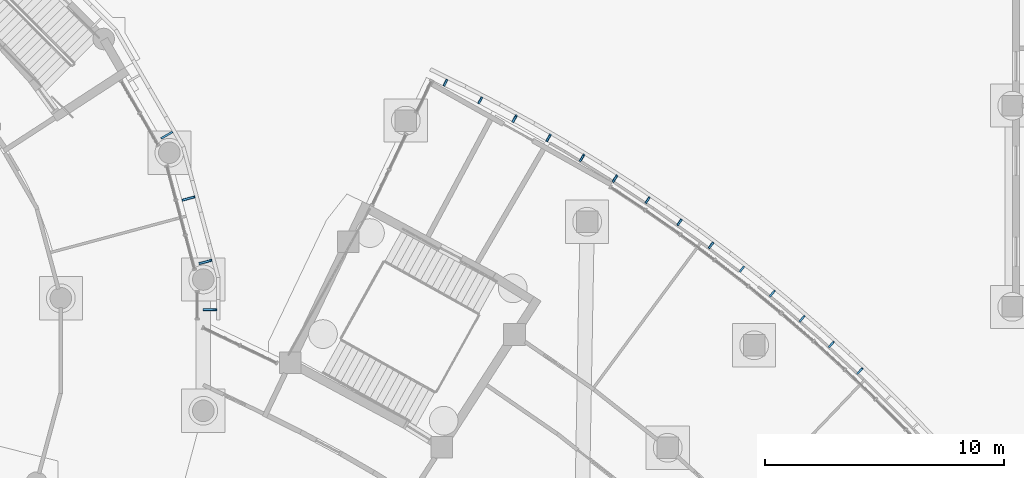
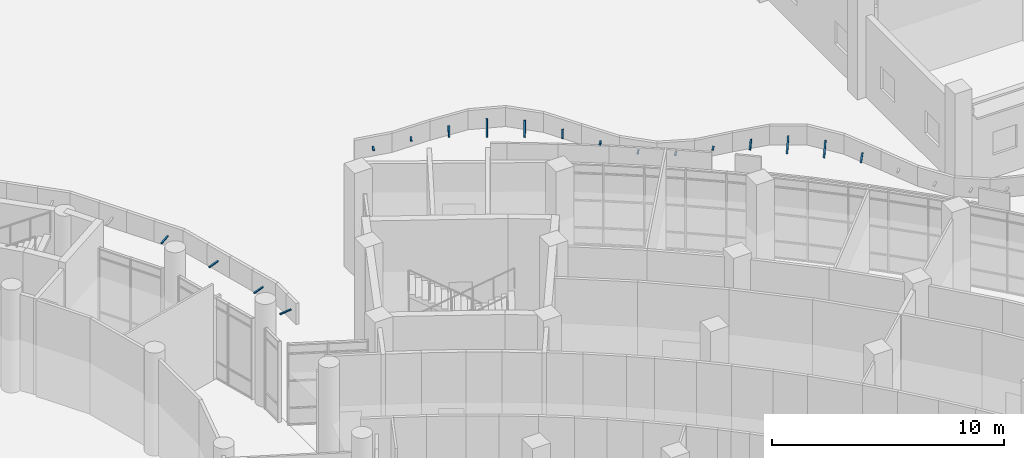
# One storey, part 114 of 146: 18 discrete accessories.
"""IFC4 building model written with IfcOpenShell, lengths in metres."""

from ifc_helpers import new_model, si_unit, direction, frame, origin, origin_2d, place, context, subcontext, project, spatial, rectangle, extrude, material, material_profile, profile_set, type_object, element, save


model = new_model("IFC4")

# Units and contexts
model_context = context("Model", 3, precision=1e-05, world=origin(), true_north=direction((0.0, 1.0)))
body_context = subcontext(model_context, "Body", "Model", "MODEL_VIEW")
ifc_project = project(units=[si_unit("LENGTHUNIT", "METRE"), si_unit("AREAUNIT", "SQUARE_METRE"), si_unit("VOLUMEUNIT", "CUBIC_METRE"), si_unit("PLANEANGLEUNIT", "RADIAN"), si_unit("MASSUNIT", "GRAM", prefix="KILO")], contexts=[model_context])

# Site, building, storey
site_placement = place(None, origin())
site = spatial("IfcSite", under=ifc_project, at=site_placement, CompositionType="ELEMENT")
building_placement = place(site_placement, origin())
building = spatial("IfcBuilding", under=site, at=building_placement, Name="Bougainvillea Quay General Hospital", CompositionType="ELEMENT")
storey_placement = place(building_placement, origin())
storey = spatial("IfcBuildingStorey", under=building, at=storey_placement, Name="L00", CompositionType="ELEMENT", Elevation=0.0)

# Discrete accessories
ifc_material = material(Name="Stainless steel bracket, grade 316", Category="steel")
ifc_material_profile = material_profile(ifc_material, rectangle(XDim=0.080078125, YDim=0.050048828125, at=origin_2d()))
ifc_profile_set = profile_set([ifc_material_profile], Name="Stainless steel bracket, grade 316")
discrete_accessory_type = type_object("IfcDiscreteAccessoryType", Name="Stainless steel stand-off bracket 80x50", PredefinedType="BRACKET", material=ifc_profile_set)
discrete_accessory_1_placement = place(storey_placement, frame((157.336669921875, 72.81591796875, 5.340087890625), z_axis=(0.46271752916, 0.488454480486, 0.739800451947), x_axis=(-0.72597406998, 0.687722073019, 0.0)))
element("IfcDiscreteAccessory", 1, at=discrete_accessory_1_placement, inside=storey, type_object=discrete_accessory_type, Name="Fascia bracket a23 31", PredefinedType="BRACKET", context=body_context, shape_type="SweptSolid", body=[
    extrude(rectangle(XDim=0.080078125, YDim=0.050048828125, at=origin_2d()), origin(), (0.0, 0.0, 1.0), 0.44580078125),
])
discrete_accessory_2_placement = place(storey_placement, frame((156.14453125, 73.919189453125, 5.340087890625), z_axis=(0.253437803118, 0.280163971447, 0.925892774058), x_axis=(-0.741593568889, 0.670849445541, 0.0)))
element("IfcDiscreteAccessory", 2, at=discrete_accessory_2_placement, inside=storey, type_object=discrete_accessory_type, Name="Fascia bracket a23 32", PredefinedType="BRACKET", context=body_context, shape_type="SweptSolid", body=[
    extrude(rectangle(XDim=0.080078125, YDim=0.050048828125, at=origin_2d()), origin(), (0.0, 0.0, 1.0), 0.794677734375),
])
discrete_accessory_3_placement = place(storey_placement, frame((154.92724609375, 74.994384765625, 5.340087890625), z_axis=(0.241729718102, 0.280261977027, 0.928988680028), x_axis=(-0.757243491072, 0.653132678121, 0.0)))
element("IfcDiscreteAccessory", 3, at=discrete_accessory_3_placement, inside=storey, type_object=discrete_accessory_type, Name="Fascia bracket a23 33", PredefinedType="BRACKET", context=body_context, shape_type="SweptSolid", body=[
    extrude(rectangle(XDim=0.080078125, YDim=0.050048828125, at=origin_2d()), origin(), (0.0, 0.0, 1.0), 0.81103515625),
])
discrete_accessory_4_placement = place(storey_placement, frame((153.685302734375, 76.041259765625, 5.340087890625), z_axis=(0.398433555653, 0.484140133565, 0.779011574241), x_axis=(-0.77214157082, 0.635450544584, 0.0)))
element("IfcDiscreteAccessory", 4, at=discrete_accessory_4_placement, inside=storey, type_object=discrete_accessory_type, Name="Fascia bracket a23 34", PredefinedType="BRACKET", context=body_context, shape_type="SweptSolid", body=[
    extrude(rectangle(XDim=0.080078125, YDim=0.050048828125, at=origin_2d()), origin(), (0.0, 0.0, 1.0), 0.478515625),
])
for number, where, z_axis, x_axis, name in (
    (5, (152.41943359375, 77.058837890625, 5.15234375), (0.617426284951, 0.786628745122, 0.0), (-0.786628745122, 0.617426284951, 0.0), "Fascia bracket a23 35"),
    (6, (151.13037109375, 78.046875, 4.734130859375), (0.598957825591, 0.80078057117, 0.0), (-0.80078057117, 0.598957825591, 0.0), "Fascia bracket a23 36"),
    (7, (149.818603515625, 79.004638671875, 4.698486328125), (0.58016009624, 0.814502463305, 0.0), (-0.814502463305, 0.58016009624, 0.0), "Fascia bracket a23 37"),
):
    element("IfcDiscreteAccessory", number, at=place(storey_placement, frame(where, z_axis=z_axis, x_axis=x_axis)), inside=storey, type_object=discrete_accessory_type, Name=name, PredefinedType="BRACKET", context=body_context, shape_type="SweptSolid", body=[
        extrude(rectangle(XDim=0.080078125, YDim=0.050048828125, at=origin_2d()), origin(), (0.0, 0.0, 1.0), 0.300048828125),
    ])
discrete_accessory_5_placement = place(storey_placement, frame((148.485107421875, 79.931884765625, 5.065673828125), z_axis=(0.560884144234, 0.827894302883, 0.0), x_axis=(-0.827894302883, 0.560884144234, 0.0)))
element("IfcDiscreteAccessory", 8, at=discrete_accessory_5_placement, inside=storey, type_object=discrete_accessory_type, Name="Fascia bracket a23 38", PredefinedType="BRACKET", context=body_context, shape_type="SweptSolid", body=[
    extrude(rectangle(XDim=0.080078125, YDim=0.050048828125, at=origin_2d()), origin(), (0.0, 0.0, 1.0), 0.2998046875),
])
discrete_accessory_6_placement = place(storey_placement, frame((147.13037109375, 80.82763671875, 5.340087890625), z_axis=(0.3924548457, 0.609632865575, 0.688713992378), x_axis=(-0.840834497113, 0.54129229485, 0.0)))
element("IfcDiscreteAccessory", 9, at=discrete_accessory_6_placement, inside=storey, type_object=discrete_accessory_type, Name="Fascia bracket a23 39", PredefinedType="BRACKET", context=body_context, shape_type="SweptSolid", body=[
    extrude(rectangle(XDim=0.080078125, YDim=0.050048828125, at=origin_2d()), origin(), (0.0, 0.0, 1.0), 0.41357421875),
])
discrete_accessory_7_placement = place(storey_placement, frame((145.755126953125, 81.69189453125, 5.340087890625), z_axis=(0.202174372329, 0.330029193458, 0.922066296227), x_axis=(-0.852718171949, 0.522371246556, 0.0)))
element("IfcDiscreteAccessory", 10, at=discrete_accessory_7_placement, inside=storey, type_object=discrete_accessory_type, Name="Fascia bracket a23 40", PredefinedType="BRACKET", context=body_context, shape_type="SweptSolid", body=[
    extrude(rectangle(XDim=0.080078125, YDim=0.050048828125, at=origin_2d()), origin(), (0.0, 0.0, 1.0), 0.775146484375),
])
discrete_accessory_8_placement = place(storey_placement, frame((144.360107421875, 82.524169921875, 5.340087890625), z_axis=(0.182827682557, 0.314179609831, 0.931592835555), x_axis=(-0.86430974307, 0.502959906984, 0.0)))
element("IfcDiscreteAccessory", 11, at=discrete_accessory_8_placement, inside=storey, type_object=discrete_accessory_type, Name="Fascia bracket a23 41", PredefinedType="BRACKET", context=body_context, shape_type="SweptSolid", body=[
    extrude(rectangle(XDim=0.080078125, YDim=0.050048828125, at=origin_2d()), origin(), (0.0, 0.0, 1.0), 0.8251953125),
])
discrete_accessory_9_placement = place(storey_placement, frame((142.946533203125, 83.32373046875, 5.340087890625), z_axis=(0.28206329917, 0.512669104572, 0.810931985113), x_axis=(-0.876147132812, 0.482043775673, 0.0)))
element("IfcDiscreteAccessory", 12, at=discrete_accessory_9_placement, inside=storey, type_object=discrete_accessory_type, Name="Fascia bracket a23 42", PredefinedType="BRACKET", context=body_context, shape_type="SweptSolid", body=[
    extrude(rectangle(XDim=0.080078125, YDim=0.050048828125, at=origin_2d()), origin(), (0.0, 0.0, 1.0), 0.512451171875),
])
for number, where, z_axis, x_axis, name in (
    (13, (141.514404296875, 84.090087890625, 5.197998046875), (0.461480864581, 0.887150162952, 0.0), (-0.887150162952, 0.461480864581, 0.0), "Fascia bracket a23 43"),
    (14, (140.065185546875, 84.8232421875, 4.756591796875), (0.44036309744, 0.897819771676, 0.0), (-0.897819771676, 0.44036309744, 0.0), "Fascia bracket a23 44"),
):
    element("IfcDiscreteAccessory", number, at=place(storey_placement, frame(where, z_axis=z_axis, x_axis=x_axis)), inside=storey, type_object=discrete_accessory_type, Name=name, PredefinedType="BRACKET", context=body_context, shape_type="SweptSolid", body=[
        extrude(rectangle(XDim=0.080078125, YDim=0.050048828125, at=origin_2d()), origin(), (0.0, 0.0, 1.0), 0.300048828125),
    ])
for number, where, z_axis, x_axis, name in (
    (15, (130.02001953125, 75.480224609375, 5.340087890625), (0.994139309541, 0.0, 0.108106582706), (0.0, 1.0, 0.0), "Fascia bracket e0 1"),
    (16, (129.842529296875, 77.40283203125, 5.340087890625), (0.960269906172, 0.257278196369, 0.108118624546), (-0.258795254151, 0.965932200741, 0.0), "Fascia bracket e0 3"),
    (17, (129.133056640625, 80.05029296875, 5.340087890625), (0.960269906172, 0.257278196369, 0.108118624546), (-0.258795254151, 0.965932200741, 0.0), "Fascia bracket e0 5"),
    (18, (128.25830078125, 82.62939453125, 5.340087890625), (0.860837738787, 0.497265059771, 0.10810109995), (-0.500196256984, 0.865912065108, 0.0), "Fascia bracket e0 7"),
):
    element("IfcDiscreteAccessory", number, at=place(storey_placement, frame(where, z_axis=z_axis, x_axis=x_axis)), inside=storey, type_object=discrete_accessory_type, Name=name, PredefinedType="BRACKET", context=body_context, shape_type="SweptSolid", body=[
        extrude(rectangle(XDim=0.080078125, YDim=0.050048828125, at=origin_2d()), origin(), (0.0, 0.0, 1.0), 0.55322265625),
    ])

save(model, "model.ifc")
